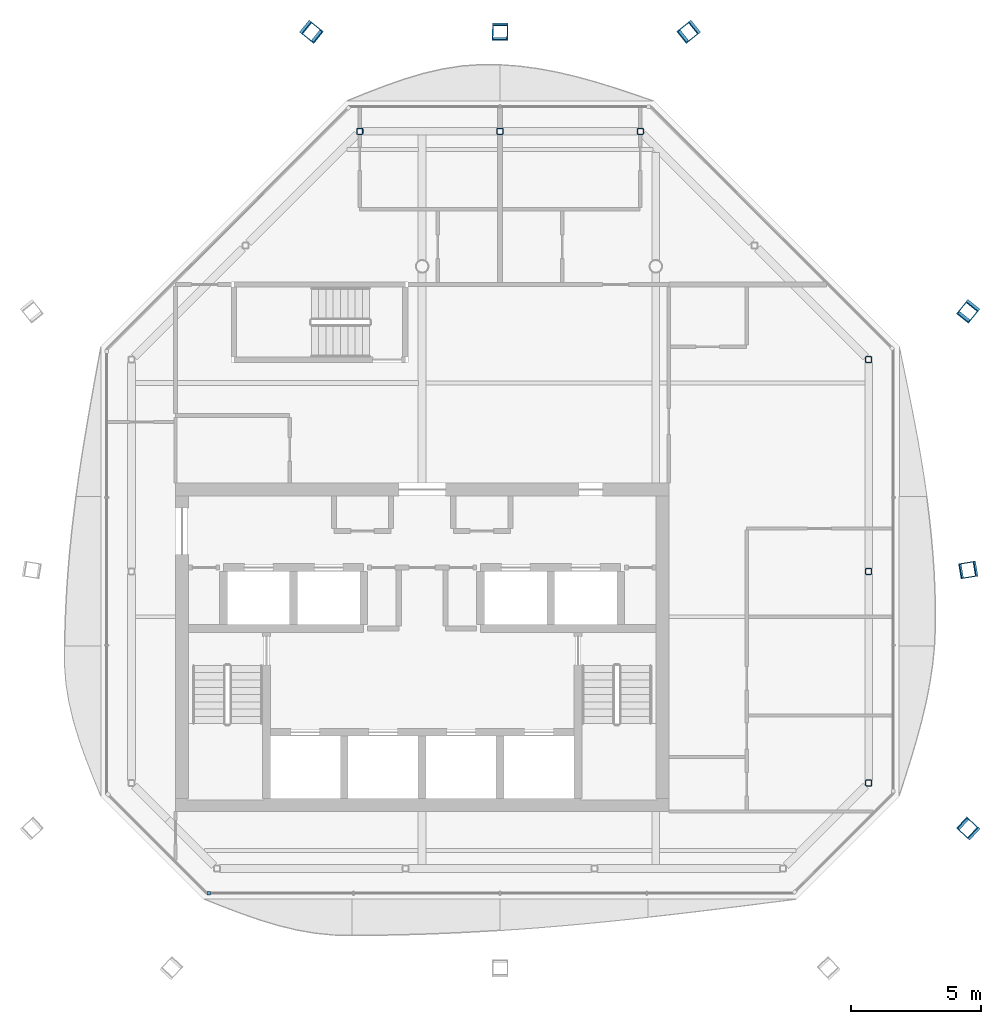
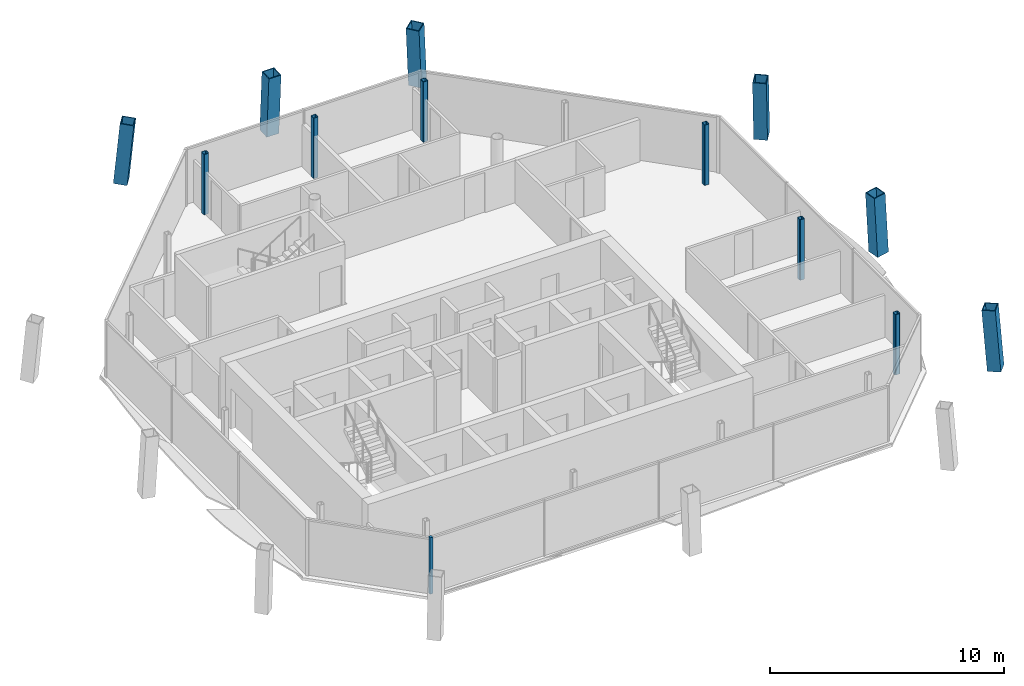
# One storey, part 2 of 13: 12 columns, 1 member, 1 element without a shape of its own.
"""IFC4 building model written with IfcOpenShell, lengths in metres."""

from ifc_helpers import new_model, si_unit, direction, frame, origin, origin_2d, place, context, subcontext, project, spatial, rectangle, hollow_rectangle, extrude, material, material_profile, profile_set, type_object, element, aggregate, save


model = new_model("IFC4")

# Units and contexts
model_context = context("Model", 3, precision=1e-05, world=origin(), true_north=direction((0.0, 1.0)))
body_context = subcontext(model_context, "Body", "Model", "MODEL_VIEW")
ifc_project = project(units=[si_unit("LENGTHUNIT", "METRE"), si_unit("AREAUNIT", "SQUARE_METRE"), si_unit("VOLUMEUNIT", "CUBIC_METRE"), si_unit("PLANEANGLEUNIT", "RADIAN"), si_unit("MASSUNIT", "GRAM", prefix="KILO")], contexts=[model_context])

# Site, building, storey
site_placement = place(None, origin())
site = spatial("IfcSite", under=ifc_project, at=site_placement, CompositionType="ELEMENT")
building_placement = place(site_placement, origin())
building = spatial("IfcBuilding", under=site, at=building_placement, Name="Tskaro Facet Tower", CompositionType="ELEMENT")
storey_placement = place(building_placement, frame((0.0, 0.0, 291.0)))
storey = spatial("IfcBuildingStorey", under=building, at=storey_placement, Name="L78", CompositionType="ELEMENT", Elevation=291.0)

# Columns
ifc_material_1 = material(Name="Steel S355J2", Category="steel")
ifc_material_profile_1 = material_profile(ifc_material_1, hollow_rectangle(XDim=0.60009765625, YDim=0.60009765625, WallThickness=0.0400390625, at=origin_2d()), Name="BOX 600x600x40")
ifc_profile_set_1 = profile_set([ifc_material_profile_1], Name="Steel S355J2")
column_type_1 = type_object("IfcColumnType", Name="BOX 600x600x40 mega column", PredefinedType="COLUMN", material=ifc_profile_set_1)
column_1_placement = place(storey_placement, frame((21.06689453125, -12.68798828125, 0.0), z_axis=(-0.057566388151, 0.052852898651, 0.996941664321), x_axis=(-0.676306475744, -0.736620357353, 0.0)))
element("IfcColumn", 1, at=column_1_placement, inside=storey, type_object=column_type_1, Name="BOX 600x600x40 MC04/6", PredefinedType="COLUMN", context=body_context, shape_type="SweptSolid", body=[
    extrude(hollow_rectangle(XDim=0.60009765625, YDim=0.60009765625, WallThickness=0.0400390625, at=origin_2d()), origin(), (0.0, 0.0, 1.0), 3.15966796875),
])
column_2_placement = place(storey_placement, frame((21.06689453125, -2.68994140625, 0.0), z_axis=(-0.057644350039, -0.009517120879, 0.998291817716), x_axis=(0.162895476227, -0.986643331617, 0.0)))
element("IfcColumn", 2, at=column_2_placement, inside=storey, type_object=column_type_1, Name="BOX 600x600x40 MC05/6", PredefinedType="COLUMN", context=body_context, shape_type="SweptSolid", body=[
    extrude(hollow_rectangle(XDim=0.60009765625, YDim=0.60009765625, WallThickness=0.0400390625, at=origin_2d()), origin(), (0.0, 0.0, 1.0), 3.1552734375),
])
for number, where, z_axis, x_axis, name in (
    (3, (21.06689453125, 7.306884765625, 0.0), (-0.057499863261, -0.071392447673, 0.995789578244), (0.778811034489, -0.627258616967, 0.0), "BOX 600x600x40 MC06/6"),
    (4, (10.306884765625, 18.06689453125, 0.0), (-0.071699588072, -0.057498593233, 0.99576758375), (0.625616292976, -0.78013092104, 0.0), "BOX 600x600x40 MC07/6"),
):
    element("IfcColumn", number, at=place(storey_placement, frame(where, z_axis=z_axis, x_axis=x_axis)), inside=storey, type_object=column_type_1, Name=name, PredefinedType="COLUMN", context=body_context, shape_type="SweptSolid", body=[
        extrude(hollow_rectangle(XDim=0.60009765625, YDim=0.60009765625, WallThickness=0.0400390625, at=origin_2d()), origin(), (0.0, 0.0, 1.0), 3.163330078125),
    ])
column_3_placement = place(storey_placement, frame((3.0, 18.06689453125, 0.0), z_axis=(-0.000309513869, -0.05764695804, 0.998336983403), x_axis=(0.999985586546, -0.005369050129, 0.0)))
element("IfcColumn", 5, at=column_3_placement, inside=storey, type_object=column_type_1, Name="BOX 600x600x40 MC08/6", PredefinedType="COLUMN", context=body_context, shape_type="SweptSolid", body=[
    extrude(hollow_rectangle(XDim=0.60009765625, YDim=0.60009765625, WallThickness=0.0400390625, at=origin_2d()), origin(), (0.0, 0.0, 1.0), 3.155029296875),
])
column_4_placement = place(storey_placement, frame((-4.306884765625, 18.06689453125, 0.0), z_axis=(0.071392447673, -0.057499863261, 0.995789578244), x_axis=(0.627258616967, 0.778811034489, 0.0)))
element("IfcColumn", 6, at=column_4_placement, inside=storey, type_object=column_type_1, Name="BOX 600x600x40 MC09/6", PredefinedType="COLUMN", context=body_context, shape_type="SweptSolid", body=[
    extrude(hollow_rectangle(XDim=0.60009765625, YDim=0.60009765625, WallThickness=0.0400390625, at=origin_2d()), origin(), (0.0, 0.0, 1.0), 3.163330078125),
])
ifc_material_2 = material(Name="Steel S355J2H", Category="steel")
ifc_material_profile_2 = material_profile(ifc_material_2, hollow_rectangle(XDim=0.25, YDim=0.25, WallThickness=0.02001953125, InnerFilletRadius=0.030029296875, OuterFilletRadius=0.050048828125, at=origin_2d()), Name="SHS 250x250x20")
ifc_profile_set_2 = profile_set([ifc_material_profile_2], Name="Steel S355J2H")
column_type_2 = type_object("IfcColumnType", Name="SHS 250x250x20 ring column", PredefinedType="COLUMN", material=ifc_profile_set_2)
for number, where, z_axis, x_axis, name in (
    (7, (17.199951171875, -10.903076171875, 0.0), (0.0, 0.0, 1.0), (1.0, 0.0, 0.0), "SHS 250x250x20 RE-1/6"),
    (8, (17.199951171875, -2.75, 0.0), (0.0, 0.0, 1.0), (1.0, 0.0, 0.0), "SHS 250x250x20 RE-2/6"),
    (9, (17.199951171875, 5.403076171875, 0.0), (0.0, 0.0, 1.0), (1.0, 0.0, 0.0), "SHS 250x250x20 RNE-1/6"),
    (10, (8.403076171875, 14.199951171875, 0.0), (0.0, 0.0, 1.0), (1.0, 0.0, 0.0), "SHS 250x250x20 RN-1/6"),
    (11, (3.0, 14.199951171875, 0.0), (0.0, 0.0, 1.0), (1.0, 0.0, 0.0), "SHS 250x250x20 RN-2/6"),
    (12, (-2.403076171875, 14.199951171875, 0.0), (0.0, 0.0, 1.0), (1.0, 0.0, 0.0), "SHS 250x250x20 RNW-1/6"),
):
    element("IfcColumn", number, at=place(storey_placement, frame(where, z_axis=z_axis, x_axis=x_axis)), inside=storey, type_object=column_type_2, Name=name, PredefinedType="COLUMN", context=body_context, shape_type="SweptSolid", body=[
        extrude(hollow_rectangle(XDim=0.25, YDim=0.25, WallThickness=0.02001953125, InnerFilletRadius=0.030029296875, OuterFilletRadius=0.050048828125, at=origin_2d()), origin(), (0.0, 0.0, 1.0), 3.14990234375),
    ])

# Curtain wall, member
ifc_material_3 = material(Name="Bronze anodised aluminium 6063-T6", Category="aluminium")
curtain_wall_type = type_object("IfcCurtainWallType", Name="Bronze residence curtain wall (FW3)", PredefinedType="NOTDEFINED", material=ifc_material_3)
curtain_wall_placement = place(storey_placement, origin())
curtain_wall = element("IfcCurtainWall", 13, at=curtain_wall_placement, inside=storey, type_object=curtain_wall_type, Name="FW3 south facet L78", PredefinedType="NOTDEFINED")
ifc_material_profile_3 = material_profile(ifc_material_3, rectangle(XDim=0.139892578125, YDim=0.139892578125, at=origin_2d()), Name="Corner post 140x140")
ifc_profile_set_3 = profile_set([ifc_material_profile_3], Name="Bronze anodised aluminium 6063-T6")
member_type = type_object("IfcMemberType", Name="FW3 bronze corner post 140x140", PredefinedType="MULLION", material=ifc_profile_set_3)
member_placement = place(storey_placement, frame((-8.22607421875, -15.14990234375, 0.0), z_axis=(0.0, 0.0, 1.0), x_axis=(1.0, 0.0, 0.0)))
member = element("IfcMember", 14, at=member_placement, type_object=member_type, Name="FW3 south corner post", PredefinedType="MULLION", context=body_context, shape_type="SweptSolid", body=[
    extrude(rectangle(XDim=0.139892578125, YDim=0.139892578125, at=origin_2d()), origin(), (0.0, 0.0, 1.0), 2.949951171875),
])
aggregate(curtain_wall, [member])

save(model, "model.ifc")
